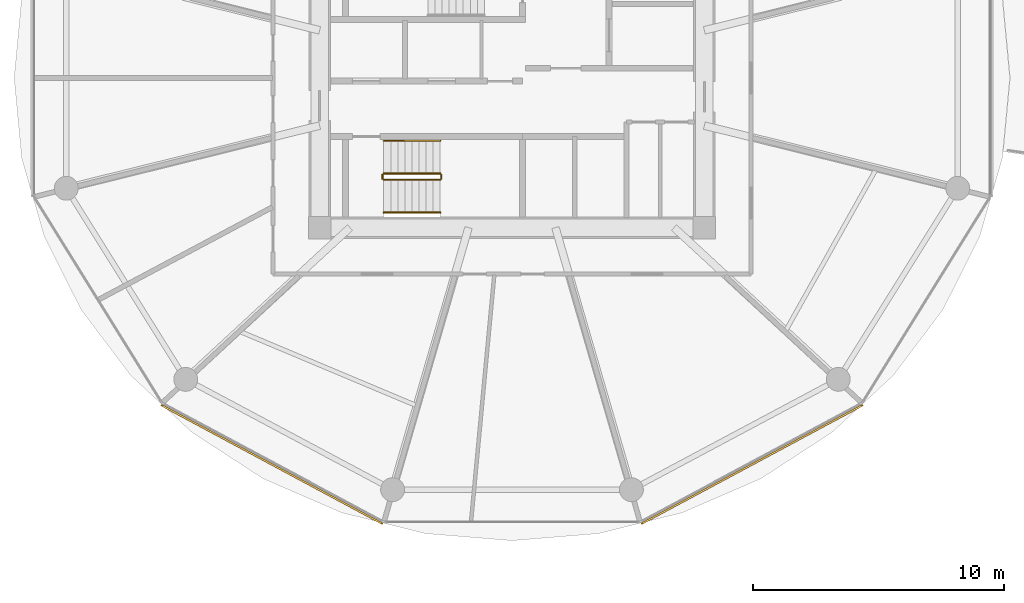
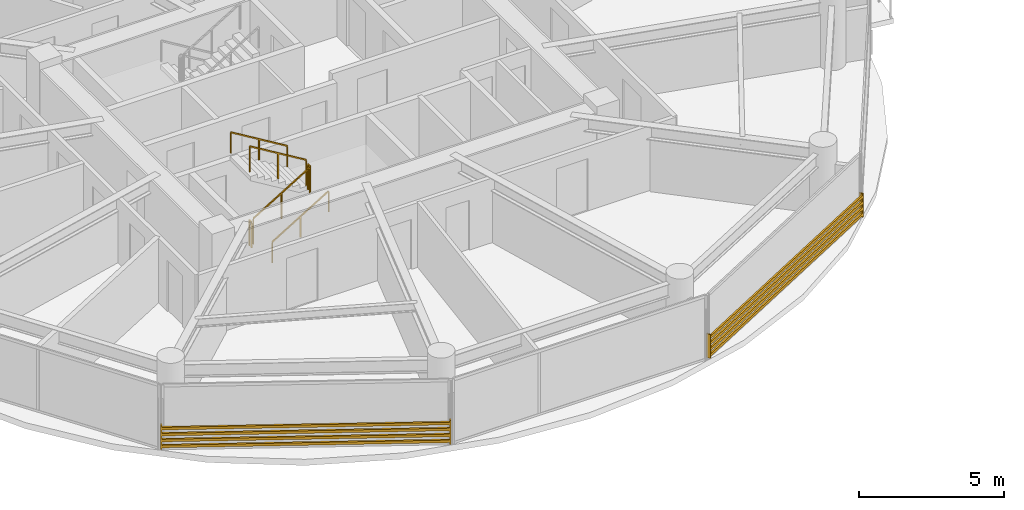
# One storey, part 22 of 26: 6 railings, 2 shading devices.
"""IFC4 building model written with IfcOpenShell, lengths in metres."""

import ifcopenshell
import ifcopenshell.guid

model = None  # the IFC model being written
_history = None  # IfcOwnerHistory: only IFC2X3 demands one
_inside = {}  # id of a spatial element -> (the spatial element, [elements in it])
_under = {}  # id of a project, library or spatial element -> (it, [spatial elements below it])
_declared = {}  # id of a project -> (the project, [libraries it declares])
_typed = {}  # id of a type object -> (the type object, [elements of that type])
_made_of = {}  # id of a material, layer set ... -> (it, [elements and type objects made of it])


def new_model(schema):
    """Start an empty IFC model of exactly this schema.

    Asked for "IFC4X3", IfcOpenShell would pick the latest addendum, in which some entities
    have other attributes; the version numbers below select the first issue.
    IFC2X3 requires an IfcOwnerHistory on every rooted entity: one is made here for all.
    """
    global model, _history
    if schema == "IFC4X3":
        model = ifcopenshell.file(schema_version=(4, 3, 0, 0))
    else:
        model = ifcopenshell.file(schema=schema)
    _inside.clear()
    _under.clear()
    _declared.clear()
    _typed.clear()
    _made_of.clear()
    _history = None
    if model.schema == "IFC2X3":
        org = make("IfcOrganization", Name="unknown")
        user = make(
            "IfcPersonAndOrganization",
            ThePerson=make("IfcPerson", FamilyName="unknown"),
            TheOrganization=org,
        )
        app = make(
            "IfcApplication",
            ApplicationDeveloper=org,
            Version="unknown",
            ApplicationFullName="unknown",
            ApplicationIdentifier="unknown",
        )
        _history = make(
            "IfcOwnerHistory",
            OwningUser=user,
            OwningApplication=app,
            ChangeAction="ADDED",
            CreationDate=0,
        )
    return model


def make(cls, **values):
    """One entity of the class cls with the attributes given. An attribute that is None is left unset."""
    return model.create_entity(
        cls, **{name: value for name, value in values.items() if value is not None}
    )


def rooted(cls, **values):
    """An entity with a GlobalId (a new one), such as an element, a storey or a relation."""
    return make(cls, GlobalId=ifcopenshell.guid.new(), OwnerHistory=_history, **values)


def si_unit(unit_type, name, prefix=None):
    """IfcSIUnit, for example si_unit("LENGTHUNIT", "METRE", prefix="MILLI")."""
    return make("IfcSIUnit", UnitType=unit_type, Prefix=prefix, Name=name)


def assignment(units):
    """IfcUnitAssignment: the units of a project."""
    return None if units is None else make("IfcUnitAssignment", Units=units)


def point(xyz):
    """IfcCartesianPoint."""
    return None if xyz is None else make("IfcCartesianPoint", Coordinates=xyz)


def direction(xyz):
    """IfcDirection."""
    return None if xyz is None else make("IfcDirection", DirectionRatios=xyz)


def frame(location, z_axis=None, x_axis=None):
    """IfcAxis2Placement3D, a coordinate frame: its origin and axes. An axis left out is left unset."""
    return make(
        "IfcAxis2Placement3D",
        Location=point(location),
        Axis=direction(z_axis),
        RefDirection=direction(x_axis),
    )


def frame_2d(location, x_axis=None):
    """IfcAxis2Placement2D, a coordinate frame in the plane: its origin and x axis."""
    return make(
        "IfcAxis2Placement2D", Location=point(location), RefDirection=direction(x_axis)
    )


def origin():
    """The frame at (0, 0, 0) with its axes left unset."""
    return frame((0.0, 0.0, 0.0))


def origin_2d():
    """The frame at (0, 0) in the plane with its x axis left unset."""
    return frame_2d((0.0, 0.0))


def place(relative_to, where):
    """IfcLocalPlacement: puts the frame where relative to a parent placement (None: the world)."""
    return make(
        "IfcLocalPlacement", PlacementRelTo=relative_to, RelativePlacement=where
    )


def context(
    kind, dimensions, precision=None, world=None, true_north=None, identifier=None
):
    """IfcGeometricRepresentationContext, for example the 3D "Model" context."""
    return make(
        "IfcGeometricRepresentationContext",
        ContextIdentifier=identifier,
        ContextType=kind,
        CoordinateSpaceDimension=dimensions,
        Precision=precision,
        WorldCoordinateSystem=world,
        TrueNorth=true_north,
    )


def subcontext(parent, identifier, kind, view, scale=None):
    """IfcGeometricRepresentationSubContext, for example "Body" below "Model"."""
    return make(
        "IfcGeometricRepresentationSubContext",
        ContextIdentifier=identifier,
        ContextType=kind,
        ParentContext=parent,
        TargetScale=scale,
        TargetView=view,
    )


def project(units=None, contexts=None):
    """IfcProject with its units and contexts."""
    return rooted(
        "IfcProject",
        Name="project",
        RepresentationContexts=contexts,
        UnitsInContext=assignment(units),
    )


def spatial(cls, under=None, at=None, **own):
    """A site, building, storey or space (cls), placed at a placement, below another one or the project."""
    s = rooted(cls, ObjectPlacement=at, **own)
    if under is not None:
        _under.setdefault(under.id(), (under, []))[1].append(s)
    return s


def profile(cls, at=None, kind="AREA", **sizes):
    """A parametric profile (cls). Its sizes go by their IFC names, for example OverallWidth=200.0."""
    return make(cls, ProfileType=kind, Position=at, **sizes)


def rectangle(**sizes):
    """IfcRectangleProfileDef."""
    return profile("IfcRectangleProfileDef", **sizes)


def extrude(swept, where, along, depth):
    """IfcExtrudedAreaSolid: the profile swept, set in the frame where, extruded along a direction by depth."""
    return make(
        "IfcExtrudedAreaSolid",
        SweptArea=swept,
        Position=where,
        ExtrudedDirection=direction(along),
        Depth=depth,
    )


def shape(context_of_items, identifier, shape_type, items):
    """IfcShapeRepresentation: the items that make up one representation, for example the "Body"."""
    return make(
        "IfcShapeRepresentation",
        ContextOfItems=context_of_items,
        RepresentationIdentifier=identifier,
        RepresentationType=shape_type,
        Items=items,
    )


def source(mapping_origin, context_of_items, identifier, shape_type, items):
    """IfcRepresentationMap: a shape defined once, which mapped items show again and again."""
    return make(
        "IfcRepresentationMap",
        MappingOrigin=mapping_origin,
        MappedRepresentation=shape(context_of_items, identifier, shape_type, items),
    )


def transform(
    local_origin,
    x_axis=None,
    y_axis=None,
    z_axis=None,
    scale=None,
    scale2=None,
    scale3=None,
    uniform=True,
):
    """IfcCartesianTransformationOperator3D, or its non-uniform kind. x_axis, y_axis, z_axis: its Axis1, 2, 3."""
    if uniform:
        return make(
            "IfcCartesianTransformationOperator3D",
            Axis1=direction(x_axis),
            Axis2=direction(y_axis),
            LocalOrigin=point(local_origin),
            Scale=scale,
            Axis3=direction(z_axis),
        )
    return make(
        "IfcCartesianTransformationOperator3DnonUniform",
        Axis1=direction(x_axis),
        Axis2=direction(y_axis),
        LocalOrigin=point(local_origin),
        Scale=scale,
        Axis3=direction(z_axis),
        Scale2=scale2,
        Scale3=scale3,
    )


def mapped(mapping_source, mapping_target):
    """IfcMappedItem: shows the shape of a source again, moved by a transform."""
    return make(
        "IfcMappedItem", MappingSource=mapping_source, MappingTarget=mapping_target
    )


def material(Name=None, Category=None):
    """IfcMaterial."""
    return make("IfcMaterial", Name=Name, Category=Category)


def made_of(thing, what):
    """Note that an element or type object is made of a material, layer set ...; save() writes the relation."""
    if what is not None:
        _made_of.setdefault(what.id(), (what, []))[1].append(thing)
    return thing


def type_object(cls, material=None, **own):
    """A type object (cls), such as IfcWallType, which elements share."""
    return made_of(rooted(cls, **own), material)


def type_shapes(of_type, sources):
    """Give a type object the sources (RepresentationMaps) that its elements show as mapped items."""
    of_type.RepresentationMaps = sources


def element(
    cls,
    number,
    at=None,
    inside=None,
    cuts=None,
    type_object=None,
    material=None,
    context=None,
    identifier="Body",
    shape_type=None,
    held_by="IfcProductDefinitionShape",
    body=None,
    shapes=None,
    **own,
):
    """One element of the class cls, such as IfcWall. Its Tag is "e" and its number.

    at: its placement. inside: the storey or other place that contains it. cuts: it is an
    opening in that element (IfcRelVoidsElement). A single representation is given by context,
    identifier, shape_type and body (its items); several are given by shapes. held_by: the class
    of the entity that holds the representations. save() writes the other relations.
    """
    e = rooted(cls, Tag="e%d" % number, ObjectPlacement=at, **own)
    if body is not None:
        shapes = [shape(context, identifier, shape_type, body)]
    if shapes is not None:
        e.Representation = make(held_by, Representations=shapes)
    if inside is not None:
        _inside.setdefault(inside.id(), (inside, []))[1].append(e)
    if cuts is not None:
        rooted(
            "IfcRelVoidsElement", RelatingBuildingElement=cuts, RelatedOpeningElement=e
        )
    if type_object is not None:
        _typed.setdefault(type_object.id(), (type_object, []))[1].append(e)
    return made_of(e, material)


def aggregate(whole, parts):
    """IfcRelAggregates: a whole, such as a stair, and the parts it consists of."""
    return rooted("IfcRelAggregates", RelatingObject=whole, RelatedObjects=parts)


def save(model, path):
    """Write the relations noted so far, then the file.

    IfcRelAggregates (storeys below a building ...), IfcRelContainedInSpatialStructure (elements
    in a storey), IfcRelDefinesByType, IfcRelAssociatesMaterial and IfcRelDeclares: one each for
    every whole, place, type object, material and project.
    """
    for whole, parts in _under.values():
        aggregate(whole, parts)
    for where, things in _inside.values():
        rooted(
            "IfcRelContainedInSpatialStructure",
            RelatedElements=things,
            RelatingStructure=where,
        )
    for kind, things in _typed.values():
        rooted("IfcRelDefinesByType", RelatedObjects=things, RelatingType=kind)
    for what, things in _made_of.values():
        rooted("IfcRelAssociatesMaterial", RelatedObjects=things, RelatingMaterial=what)
    for by, libraries in _declared.values():
        rooted("IfcRelDeclares", RelatingContext=by, RelatedDefinitions=libraries)
    model.write(path)


model = new_model("IFC4")

# Units and contexts
model_context = context("Model", 3, precision=1e-05, world=origin(), true_north=direction((0.0, 1.0)))
body_context = subcontext(model_context, "Body", "Model", "MODEL_VIEW")
ifc_project = project(units=[si_unit("LENGTHUNIT", "METRE"), si_unit("AREAUNIT", "SQUARE_METRE"), si_unit("VOLUMEUNIT", "CUBIC_METRE"), si_unit("PLANEANGLEUNIT", "RADIAN"), si_unit("MASSUNIT", "GRAM", prefix="KILO")], contexts=[model_context])

# Site, building, storey
site_placement = place(None, origin())
site = spatial("IfcSite", under=ifc_project, at=site_placement, CompositionType="ELEMENT")
building_placement = place(site_placement, origin())
building = spatial("IfcBuilding", under=site, at=building_placement, Name="Norrkilde Senior Care Towers", CompositionType="ELEMENT")
storey_placement = place(building_placement, frame((0.0, 0.0, 70.39990234375)))
storey = spatial("IfcBuildingStorey", under=building, at=storey_placement, Name="L21", CompositionType="ELEMENT", Elevation=70.39990234375)

# Railings
ifc_material_1 = material(Name="Stainless Steel", Category="steel")
railing_type_1 = type_object("IfcRailingType", Name="Stair and Terrace Guardrail 1100", PredefinedType="GUARDRAIL", material=ifc_material_1)
railing_1_placement = place(storey_placement, frame((-33.10009765625, -4.050048828125, 0.16943359375)))
element("IfcRailing", 1, at=railing_1_placement, inside=storey, type_object=railing_type_1, Name="L21 ST-W2 stair guard 1", PredefinedType="GUARDRAIL", context=body_context, shape_type="SweptSolid", body=[
    extrude(rectangle(XDim=0.048095703125, YDim=0.048095703125, at=origin_2d()), frame((0.0, 0.0, 1.076171875), z_axis=(0.855512035549, 0.0, 0.517782924622), x_axis=(0.0, 1.0, 0.0)), (0.0, 0.0, 1.0), 2.618408203125),
    extrude(rectangle(XDim=0.0419921875, YDim=0.0419921875, at=origin_2d()), origin(), (0.0, 0.0, 1.0), 1.050048828125),
    extrude(rectangle(XDim=0.0419921875, YDim=0.0419921875, at=origin_2d()), frame((1.1201171875, 0.0, 0.677734375)), (0.0, 0.0, 1.0), 1.050048828125),
    extrude(rectangle(XDim=0.0419921875, YDim=0.0419921875, at=origin_2d()), frame((2.239990234375, 0.0, 1.355712890625)), (0.0, 0.0, 1.0), 1.050048828125),
])
railing_2_placement = place(storey_placement, frame((-30.81005859375, -4.0, 1.525146484375)))
element("IfcRailing", 2, at=railing_2_placement, inside=storey, type_object=railing_type_1, Name="L21 ST-W2 stair guard 2", PredefinedType="GUARDRAIL", context=body_context, shape_type="SweptSolid", body=[
    extrude(rectangle(XDim=0.048095703125, YDim=0.048095703125, at=origin_2d()), frame((0.0, 0.0, 1.076171875), z_axis=(0.0, 1.0, 0.0), x_axis=(-1.0, 0.0, 0.0)), (0.0, 0.0, 1.0), 0.14990234375),
    extrude(rectangle(XDim=0.0419921875, YDim=0.0419921875, at=origin_2d()), origin(), (0.0, 0.0, 1.0), 1.050048828125),
    extrude(rectangle(XDim=0.0419921875, YDim=0.0419921875, at=origin_2d()), frame((0.0, 0.14990234375, 0.0)), (0.0, 0.0, 1.0), 1.050048828125),
])
railing_3_placement = place(storey_placement, frame((-30.860107421875, -3.800048828125, 1.694580078125)))
element("IfcRailing", 3, at=railing_3_placement, inside=storey, type_object=railing_type_1, Name="L21 ST-W2 stair guard 3", PredefinedType="GUARDRAIL", context=body_context, shape_type="SweptSolid", body=[
    extrude(rectangle(XDim=0.048095703125, YDim=0.048095703125, at=origin_2d()), frame((0.0, 0.0, 1.076171875), z_axis=(-0.855553338991, 0.0, 0.51771467445), x_axis=(0.0, -1.0, 0.0)), (0.0, 0.0, 1.0), 2.6181640625),
    extrude(rectangle(XDim=0.0419921875, YDim=0.0419921875, at=origin_2d()), origin(), (0.0, 0.0, 1.0), 1.050048828125),
    extrude(rectangle(XDim=0.0419921875, YDim=0.0419921875, at=origin_2d()), frame((-1.1201171875, 0.0, 0.677734375)), (0.0, 0.0, 1.0), 1.050048828125),
    extrude(rectangle(XDim=0.0419921875, YDim=0.0419921875, at=origin_2d()), frame((-2.239990234375, 0.0, 1.35546875)), (0.0, 0.0, 1.0), 1.050048828125),
])
railing_4_placement = place(storey_placement, frame((-33.14990234375, -4.0, 0.0)))
element("IfcRailing", 4, at=railing_4_placement, inside=storey, type_object=railing_type_1, Name="L21 ST-W2 stair guard 4", PredefinedType="GUARDRAIL", context=body_context, shape_type="SweptSolid", body=[
    extrude(rectangle(XDim=0.048095703125, YDim=0.048095703125, at=origin_2d()), frame((0.0, 0.0, 1.076171875), z_axis=(0.0, 1.0, 0.0), x_axis=(-1.0, 0.0, 0.0)), (0.0, 0.0, 1.0), 0.14990234375),
    extrude(rectangle(XDim=0.0419921875, YDim=0.0419921875, at=origin_2d()), origin(), (0.0, 0.0, 1.0), 1.050048828125),
    extrude(rectangle(XDim=0.0419921875, YDim=0.0419921875, at=origin_2d()), frame((0.0, 0.14990234375, 0.0)), (0.0, 0.0, 1.0), 1.050048828125),
])
ifc_material_2 = material(Name="Nordic Ash Timber", Category="wood")
railing_type_2 = type_object("IfcRailingType", Name="Wall and Stair Handrail 900", PredefinedType="HANDRAIL", material=ifc_material_2)
railing_5_placement = place(storey_placement, frame((-33.10009765625, -5.35009765625, 0.16943359375)))
element("IfcRailing", 5, at=railing_5_placement, inside=storey, type_object=railing_type_2, Name="L21 ST-W2 stair handrail 1", PredefinedType="HANDRAIL", context=body_context, shape_type="SweptSolid", body=[
    extrude(rectangle(XDim=0.048095703125, YDim=0.048095703125, at=origin_2d()), frame((0.0, 0.0, 0.8759765625), z_axis=(0.855512035549, 0.0, 0.517782924622), x_axis=(0.0, 1.0, 0.0)), (0.0, 0.0, 1.0), 2.618408203125),
    extrude(rectangle(XDim=0.0419921875, YDim=0.0419921875, at=origin_2d()), origin(), (0.0, 0.0, 1.0), 0.849853515625),
    extrude(rectangle(XDim=0.0419921875, YDim=0.0419921875, at=origin_2d()), frame((1.1201171875, 0.0, 0.677734375)), (0.0, 0.0, 1.0), 0.849853515625),
    extrude(rectangle(XDim=0.0419921875, YDim=0.0419921875, at=origin_2d()), frame((2.239990234375, 0.0, 1.355712890625)), (0.0, 0.0, 1.0), 0.849853515625),
])
railing_6_placement = place(storey_placement, frame((-30.860107421875, -2.5, 1.694580078125)))
element("IfcRailing", 6, at=railing_6_placement, inside=storey, type_object=railing_type_2, Name="L21 ST-W2 stair handrail 2", PredefinedType="HANDRAIL", context=body_context, shape_type="SweptSolid", body=[
    extrude(rectangle(XDim=0.048095703125, YDim=0.048095703125, at=origin_2d()), frame((0.0, 0.0, 0.8759765625), z_axis=(-0.855553338991, 0.0, 0.51771467445), x_axis=(0.0, -1.0, 0.0)), (0.0, 0.0, 1.0), 2.6181640625),
    extrude(rectangle(XDim=0.0419921875, YDim=0.0419921875, at=origin_2d()), origin(), (0.0, 0.0, 1.0), 0.849853515625),
    extrude(rectangle(XDim=0.0419921875, YDim=0.0419921875, at=origin_2d()), frame((-1.1201171875, 0.0, 0.677734375)), (0.0, 0.0, 1.0), 0.849853515625),
    extrude(rectangle(XDim=0.0419921875, YDim=0.0419921875, at=origin_2d()), frame((-2.239990234375, 0.0, 1.35546875)), (0.0, 0.0, 1.0), 0.849853515625),
])

# Shading devices
ifc_material_3 = material(Name="Architectural Terracotta", Category="masonry")
shading_device_type = type_object("IfcShadingDeviceType", Name="Horizontal Terracotta Baguette Rack", PredefinedType="USERDEFINED", material=ifc_material_3)
shared_shape = source(origin(), body_context, "Body", "SweptSolid", [
    extrude(rectangle(XDim=0.070068359375, YDim=0.110107421875, at=origin_2d()), frame((0.0, 0.090087890625, 0.125), z_axis=(1.0, 0.0, 0.0), x_axis=(0.0, 1.0, 0.0)), (0.0, 0.0, 1.0), 10.0107421875),
    extrude(rectangle(XDim=0.070068359375, YDim=0.110107421875, at=origin_2d()), frame((0.0, 0.090087890625, 0.375), z_axis=(1.0, 0.0, 0.0), x_axis=(0.0, 1.0, 0.0)), (0.0, 0.0, 1.0), 10.0107421875),
    extrude(rectangle(XDim=0.070068359375, YDim=0.110107421875, at=origin_2d()), frame((0.0, 0.090087890625, 0.625), z_axis=(1.0, 0.0, 0.0), x_axis=(0.0, 1.0, 0.0)), (0.0, 0.0, 1.0), 10.0107421875),
    extrude(rectangle(XDim=0.070068359375, YDim=0.110107421875, at=origin_2d()), frame((0.0, 0.090087890625, 0.875), z_axis=(1.0, 0.0, 0.0), x_axis=(0.0, 1.0, 0.0)), (0.0, 0.0, 1.0), 10.0107421875),
    extrude(rectangle(XDim=0.050048828125, YDim=0.1552734375, at=origin_2d()), frame((0.02490234375, 0.047607421875, 0.0)), (0.0, 0.0, 1.0), 1.0),
    extrude(rectangle(XDim=0.050048828125, YDim=0.1552734375, at=origin_2d()), frame((9.98583984375, 0.047607421875, 0.0)), (0.0, 0.0, 1.0), 1.0),
])
type_shapes(shading_device_type, [shared_shape])
for number, where, z_axis, x_axis, name in (
    (7, (-33.093505859375, -17.6572265625, 0.080078125), (0.0, 0.0, 1.0), (-0.881279875134, 0.472612428056, 0.0), "L21 Drum W Terracotta Baguette Screen 07"),
    (8, (-14.084228515625, -12.926025390625, 0.080078125), (0.0, 0.0, 1.0), (-0.881279875134, -0.472612428056, 0.0), "L21 Drum W Terracotta Baguette Screen 09"),
):
    element("IfcShadingDevice", number, at=place(storey_placement, frame(where, z_axis=z_axis, x_axis=x_axis)), inside=storey, type_object=shading_device_type, Name=name, ObjectType="BAGUETTE", PredefinedType="USERDEFINED", context=body_context, shape_type="MappedRepresentation", body=[
        mapped(shared_shape, transform((0.0, 0.0, 0.0), x_axis=(1.0, 0.0, 0.0), y_axis=(0.0, 1.0, 0.0), z_axis=(0.0, 0.0, 1.0), scale=1.0)),
    ])

save(model, "model.ifc")
